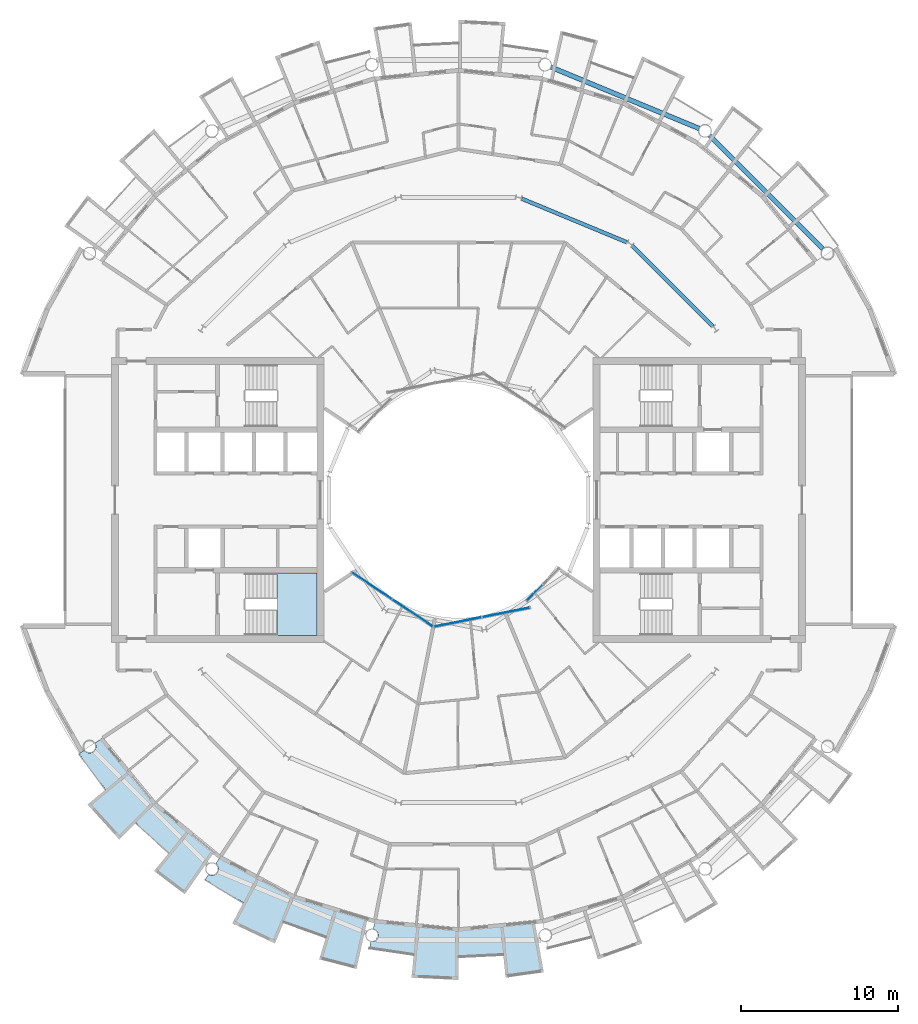
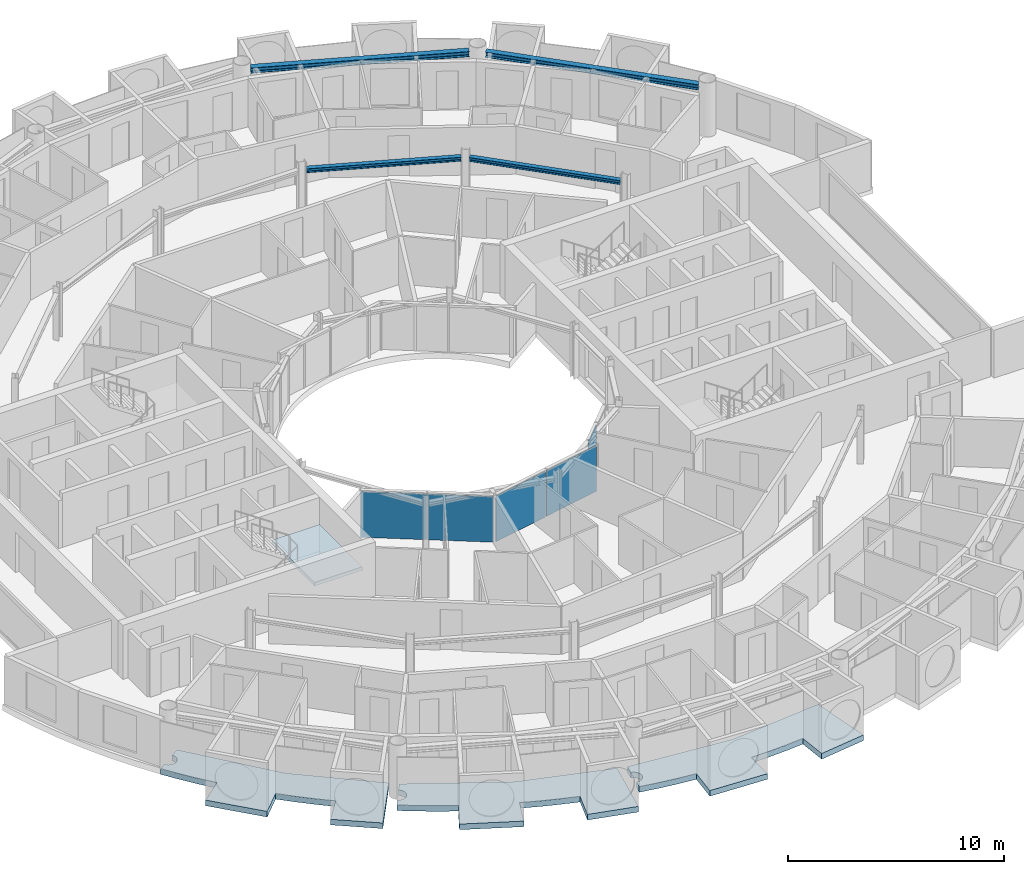
# One storey, part 11 of 29: 5 plates, 4 beams, 4 slabs, 4 elements without a shape of their own.
"""IFC4 building model written with IfcOpenShell, lengths in metres."""

from ifc_helpers import new_model, si_unit, direction, frame, origin, origin_2d, place, context, subcontext, project, spatial, polyline, rectangle, i_section, outline, extrude, material, layer, layer_set, material_profile, profile_set, type_object, element, aggregate, save


model = new_model("IFC4")

# Units and contexts
model_context = context("Model", 3, precision=1e-05, world=origin(), true_north=direction((0.0, 1.0)))
body_context = subcontext(model_context, "Body", "Model", "MODEL_VIEW")
ifc_project = project(units=[si_unit("LENGTHUNIT", "METRE"), si_unit("AREAUNIT", "SQUARE_METRE"), si_unit("VOLUMEUNIT", "CUBIC_METRE"), si_unit("PLANEANGLEUNIT", "RADIAN"), si_unit("MASSUNIT", "GRAM", prefix="KILO")], contexts=[model_context])

# Site, building, storey
site_placement = place(None, origin())
site = spatial("IfcSite", under=ifc_project, at=site_placement, CompositionType="ELEMENT")
building_placement = place(site_placement, origin())
building = spatial("IfcBuilding", under=site, at=building_placement, Name="Maasbend Ring Residences", CompositionType="ELEMENT")
storey_placement = place(building_placement, frame((0.0, 0.0, 212.699951171875)))
storey = spatial("IfcBuildingStorey", under=building, at=storey_placement, Name="L61", CompositionType="ELEMENT", Elevation=212.699951171875)

# Beams
ifc_material_1 = material(Name="Steel S355J2", Category="steel")
ifc_material_profile_1 = material_profile(ifc_material_1, i_section(OverallWidth=0.239990234375, OverallDepth=0.22998046875, WebThickness=0.007568359375, FlangeThickness=0.011962890625, FilletRadius=0.02099609375, at=origin_2d()), Name="HEA 240")
ifc_profile_set_1 = profile_set([ifc_material_profile_1], Name="Steel S355J2")
beam_type_1 = type_object("IfcBeamType", Name="Corridor ring beam HEA 240", PredefinedType="BEAM", material=ifc_profile_set_1)
beam_1_placement = place(storey_placement, frame((16.152587890625, 11.033447265625, 2.5849609375), z_axis=(-0.707106781187, 0.707106781187, 0.0), x_axis=(-0.707106781187, -0.707106781187, 0.0)))
element("IfcBeam", 1, at=beam_1_placement, inside=storey, type_object=beam_type_1, Name="Corridor ring beam", PredefinedType="BEAM", context=body_context, shape_type="SweptSolid", body=[
    extrude(i_section(OverallWidth=0.239990234375, OverallDepth=0.22998046875, WebThickness=0.007568359375, FlangeThickness=0.011962890625, FilletRadius=0.02099609375, at=origin_2d()), origin(), (0.0, 0.0, 1.0), 7.239501953125),
])
beam_2_placement = place(storey_placement, frame((10.70068359375, 16.374755859375, 2.5849609375), z_axis=(-0.923865162022, 0.382718123952, 0.0), x_axis=(-0.382718123952, -0.923865162022, 0.0)))
element("IfcBeam", 2, at=beam_2_placement, inside=storey, type_object=beam_type_1, Name="Corridor ring beam", PredefinedType="BEAM", context=body_context, shape_type="SweptSolid", body=[
    extrude(i_section(OverallWidth=0.239990234375, OverallDepth=0.22998046875, WebThickness=0.007568359375, FlangeThickness=0.011962890625, FilletRadius=0.02099609375, at=origin_2d()), origin(), (0.0, 0.0, 1.0), 7.23974609375),
])
ifc_material_2 = material(Name="Steel S355J2", Category="steel")
ifc_material_profile_2 = material_profile(ifc_material_2, i_section(OverallWidth=0.300048828125, OverallDepth=0.300048828125, WebThickness=0.010986328125, FlangeThickness=0.01904296875, FilletRadius=0.027099609375, at=origin_2d()), Name="HEB 300")
ifc_profile_set_2 = profile_set([ifc_material_profile_2], Name="Steel S355J2")
beam_type_2 = type_object("IfcBeamType", Name="Spandrel ring beam HEB 300", PredefinedType="SPANDREL", material=ifc_profile_set_2)
for number, where, z_axis, x_axis, name in (
    (3, (23.159912109375, 15.95458984375, 2.550048828125), (-0.707106781187, 0.707106781187, 0.0), (-0.707106781187, -0.707106781187, 0.0), "Spandrel ring beam"),
    (4, (15.29150390625, 23.60302734375, 2.550048828125), (-0.923883676188, 0.382673428492, 0.0), (-0.382673428492, -0.923883676188, 0.0), "Spandrel ring beam"),
):
    element("IfcBeam", number, at=place(storey_placement, frame(where, z_axis=z_axis, x_axis=x_axis)), inside=storey, type_object=beam_type_2, Name=name, PredefinedType="SPANDREL", context=body_context, shape_type="SweptSolid", body=[
        extrude(i_section(OverallWidth=0.300048828125, OverallDepth=0.300048828125, WebThickness=0.010986328125, FlangeThickness=0.01904296875, FilletRadius=0.027099609375, at=origin_2d()), origin(), (0.0, 0.0, 1.0), 10.18994140625),
    ])

# Stair, slab
ifc_material_3 = material(Name="Concrete C40/50", Category="concrete")
stair_type = type_object("IfcStairType", Name="CORE STAIR 18 RISERS", PredefinedType="HALF_TURN_STAIR", material=ifc_material_3)
stair_placement = place(storey_placement, origin())
stair = element("IfcStair", 5, at=stair_placement, inside=storey, type_object=stair_type, Name="L61 Exit stair ST-W1", PredefinedType="HALF_TURN_STAIR")
ifc_material_4 = material(Name="Concrete C40/50", Category="concrete")
ifc_layer_1 = layer(ifc_material_4, 0.199951171875)
ifc_layer_set_1 = layer_set([ifc_layer_1], Name="Concrete C40/50")
slab_type_1 = type_object("IfcSlabType", Name="CORE STAIR LANDING 200", PredefinedType="LANDING", material=ifc_layer_set_1)
slab_1_placement = place(storey_placement, frame((0.0, 0.0, 1.324951171875)))
slab_1 = element("IfcSlab", 6, at=slab_1_placement, type_object=slab_type_1, Name="ST-W1 landing 1", PredefinedType="LANDING", context=body_context, shape_type="SweptSolid", body=[
    extrude(outline(polyline([(-11.550048828125, -8.60009765625), (-9.0, -8.60009765625), (-9.0, -4.64990234375), (-11.550048828125, -4.64990234375), (-11.550048828125, -8.60009765625)])), origin(), (0.0, 0.0, 1.0), 0.2001953125),
])
aggregate(stair, [slab_1])

# Curtain wall, plates
ifc_material_5 = material(Name="Aluminium and clear glass", Category="aluminium")
ifc_layer_2 = layer(ifc_material_5, 0.179931640625)
ifc_layer_set_2 = layer_set([ifc_layer_2], Name="CW-W")
curtain_wall_type = type_object("IfcCurtainWallType", Name="CW-W", PredefinedType="NOTDEFINED", material=ifc_layer_set_2)
curtain_wall_1_placement = place(storey_placement, origin())
curtain_wall_1 = element("IfcCurtainWall", 7, at=curtain_wall_1_placement, inside=storey, type_object=curtain_wall_type, Name="Well curtain wall S1", PredefinedType="NOTDEFINED")
ifc_material_6 = material(Name="Glass clear laminated", Category="glass")
ifc_layer_3 = layer(ifc_material_6, 0.031982421875)
ifc_layer_set_3 = layer_set([ifc_layer_3], Name="CWP-W")
plate_type = type_object("IfcPlateType", Name="CWP-W", PredefinedType="CURTAIN_PANEL", material=ifc_layer_set_3)
plate_1_placement = place(storey_placement, frame((-5.51123046875, -5.44580078125, 0.0), z_axis=(0.0, 0.0, 1.0), x_axis=(0.831469612303, -0.55557023302, 0.0)))
plate_1 = element("IfcPlate", 8, at=plate_1_placement, type_object=plate_type, Name="Glass panel well face", PredefinedType="CURTAIN_PANEL", context=body_context, shape_type="SweptSolid", body=[
    extrude(rectangle(XDim=3.053955078125, YDim=0.031982421875, at=origin_2d()), origin(), (0.0, 0.0, 1.0), 2.580078125),
])
plate_2_placement = place(storey_placement, frame((-2.922119140625, -7.17578125, 0.0), z_axis=(0.0, 0.0, 1.0), x_axis=(0.831469612303, -0.55557023302, 0.0)))
plate_2 = element("IfcPlate", 9, at=plate_2_placement, type_object=plate_type, Name="Glass panel well face", PredefinedType="CURTAIN_PANEL", context=body_context, shape_type="SweptSolid", body=[
    extrude(rectangle(XDim=3.053955078125, YDim=0.031982421875, at=origin_2d()), origin(), (0.0, 0.0, 1.0), 2.580078125),
])
aggregate(curtain_wall_1, [plate_1, plate_2])

curtain_wall_2_placement = place(storey_placement, origin())
curtain_wall_2 = element("IfcCurtainWall", 10, at=curtain_wall_2_placement, inside=storey, type_object=curtain_wall_type, Name="Well curtain wall S2", PredefinedType="NOTDEFINED")
plate_3_placement = place(storey_placement, frame((-0.04638671875, -7.747802734375, 0.0), z_axis=(0.0, 0.0, 1.0), x_axis=(0.980785280403, 0.195090322016, 0.0)))
plate_3 = element("IfcPlate", 11, at=plate_3_placement, type_object=plate_type, Name="Glass panel well face", PredefinedType="CURTAIN_PANEL", context=body_context, shape_type="SweptSolid", body=[
    extrude(rectangle(XDim=3.053955078125, YDim=0.031982421875, at=origin_2d()), origin(), (0.0, 0.0, 1.0), 2.580078125),
])
plate_4_placement = place(storey_placement, frame((3.0078125, -7.140380859375, 0.0), z_axis=(0.0, 0.0, 1.0), x_axis=(0.980785280403, 0.195090322016, 0.0)))
plate_4 = element("IfcPlate", 12, at=plate_4_placement, type_object=plate_type, Name="Glass panel well face", PredefinedType="CURTAIN_PANEL", context=body_context, shape_type="SweptSolid", body=[
    extrude(rectangle(XDim=3.053955078125, YDim=0.031982421875, at=origin_2d()), origin(), (0.0, 0.0, 1.0), 2.580078125),
])
aggregate(curtain_wall_2, [plate_3, plate_4])

# Curtain wall, plate
curtain_wall_3_placement = place(storey_placement, origin())
curtain_wall_3 = element("IfcCurtainWall", 13, at=curtain_wall_3_placement, inside=storey, type_object=curtain_wall_type, Name="Well curtain wall S3", PredefinedType="NOTDEFINED")
plate_5_placement = place(storey_placement, frame((4.84375, -5.89013671875, 0.0), z_axis=(0.0, 0.0, 1.0), x_axis=(0.707106781187, 0.707106781187, 0.0)))
plate_5 = element("IfcPlate", 14, at=plate_5_placement, type_object=plate_type, Name="Glass panel well face", PredefinedType="CURTAIN_PANEL", context=body_context, shape_type="SweptSolid", body=[
    extrude(rectangle(XDim=1.419677734375, YDim=0.031982421875, at=origin_2d()), origin(), (0.0, 0.0, 1.0), 2.580078125),
])
aggregate(curtain_wall_3, [plate_5])

# Slabs
ifc_material_7 = material(Name="Concrete C40/50", Category="concrete")
ifc_layer_4 = layer(ifc_material_7, 0.199951171875)
ifc_layer_set_4 = layer_set([ifc_layer_4], Name="Concrete C40/50")
slab_type_2 = type_object("IfcSlabType", Name="SL-LOGGIA", PredefinedType="FLOOR", material=ifc_layer_set_4)
slab_2_placement = place(storey_placement, frame((0.0, 0.0, -0.349853515625)))
element("IfcSlab", 15, at=slab_2_placement, inside=storey, type_object=slab_type_2, Name="Loggia floor 1", PredefinedType="FLOOR", context=body_context, shape_type="SweptSolid", body=[
    extrude(outline(polyline([(-15.866943359375, -23.801025390625), (-15.85888671875, -23.805908203125), (-15.85009765625, -23.81005859375), (-15.841064453125, -23.81494140625), (-15.83203125, -23.819091796875), (-15.822998046875, -23.822998046875), (-15.81298828125, -23.826904296875), (-15.803955078125, -23.830078125), (-15.794921875, -23.8330078125), (-15.784912109375, -23.8359375), (-15.77587890625, -23.839111328125), (-15.76611328125, -23.842041015625), (-15.756103515625, -23.843994140625), (-15.74609375, -23.845947265625), (-15.737060546875, -23.847900390625), (-15.72705078125, -23.85009765625), (-15.717041015625, -23.85107421875), (-15.70703125, -23.85205078125), (-15.697021484375, -23.85302734375), (-15.68701171875, -23.85302734375), (-15.677001953125, -23.85400390625), (-15.6669921875, -23.85400390625), (-15.656982421875, -23.85400390625), (-15.64697265625, -23.85302734375), (-15.636962890625, -23.85302734375), (-15.626953125, -23.85205078125), (-15.616943359375, -23.85107421875), (-15.60693359375, -23.85009765625), (-15.597900390625, -23.847900390625), (-15.587890625, -23.845947265625), (-15.577880859375, -23.843994140625), (-15.568115234375, -23.842041015625), (-15.55908203125, -23.839111328125), (-15.549072265625, -23.8359375), (-15.5400390625, -23.8330078125), (-15.530029296875, -23.830078125), (-15.52099609375, -23.826904296875), (-15.511962890625, -23.822998046875), (-15.501953125, -23.819091796875), (-15.492919921875, -23.81494140625), (-15.48388671875, -23.81005859375), (-15.47509765625, -23.805908203125), (-15.467041015625, -23.801025390625), (-15.4580078125, -23.7958984375), (-15.449951171875, -23.791015625), (-15.44091796875, -23.784912109375), (-15.43310546875, -23.780029296875), (-15.425048828125, -23.77392578125), (-15.4169921875, -23.76806640625), (-15.408935546875, -23.761962890625), (-15.402099609375, -23.7548828125), (-15.39404296875, -23.7490234375), (-15.386962890625, -23.741943359375), (-15.3798828125, -23.735107421875), (-15.373046875, -23.72802734375), (-15.365966796875, -23.719970703125), (-15.35888671875, -23.712890625), (-15.35302734375, -23.705078125), (-15.346923828125, -23.697021484375), (-15.341064453125, -23.68994140625), (-15.3349609375, -23.680908203125), (-15.3291015625, -23.673095703125), (-15.323974609375, -23.6650390625), (-15.318115234375, -23.656005859375), (-15.31298828125, -23.64794921875), (-15.30908203125, -23.638916015625), (-15.303955078125, -23.6298828125), (-15.300048828125, -23.62109375), (-15.294921875, -23.612060546875), (-15.2919921875, -23.60302734375), (-15.2880859375, -23.593994140625), (-15.283935546875, -23.583984375), (-15.281005859375, -23.574951171875), (-15.278076171875, -23.56494140625), (-15.27490234375, -23.555908203125), (-15.27294921875, -23.5458984375), (-15.27001953125, -23.535888671875), (-15.26806640625, -23.527099609375), (-15.26708984375, -23.51708984375), (-15.264892578125, -23.507080078125), (-15.263916015625, -23.4970703125), (-15.262939453125, -23.487060546875), (-15.261962890625, -23.47705078125), (-15.260986328125, -23.467041015625), (-15.260986328125, -23.45703125), (-15.260986328125, -23.447021484375), (-15.260986328125, -23.43701171875), (-15.260986328125, -23.427001953125), (-15.261962890625, -23.4169921875), (-15.262939453125, -23.407958984375), (-15.263916015625, -23.39794921875), (-15.264892578125, -23.387939453125), (-15.26708984375, -23.3779296875), (-15.26806640625, -23.367919921875), (-15.27001953125, -23.35791015625), (-15.27294921875, -23.34912109375), (-15.27490234375, -23.339111328125), (-15.278076171875, -23.3291015625), (-15.281005859375, -23.320068359375), (-15.283935546875, -23.31005859375), (-15.2880859375, -23.301025390625), (-15.2919921875, -23.2919921875), (-15.294921875, -23.282958984375), (-15.300048828125, -23.27392578125), (-15.303955078125, -23.264892578125), (-15.30908203125, -23.256103515625), (-15.31298828125, -23.2470703125), (-15.318115234375, -23.238037109375), (-15.323974609375, -23.22998046875), (-15.3291015625, -23.221923828125), (-15.3349609375, -23.212890625), (-15.341064453125, -23.205078125), (-15.346923828125, -23.197021484375), (-15.35302734375, -23.18994140625), (-15.35888671875, -23.181884765625), (-15.365966796875, -23.174072265625), (-15.373046875, -23.1669921875), (-15.3798828125, -23.159912109375), (-15.386962890625, -23.153076171875), (-15.39404296875, -23.14599609375), (-15.402099609375, -23.139892578125), (-15.408935546875, -23.133056640625), (-15.4169921875, -23.126953125), (-15.425048828125, -23.12109375), (-15.43310546875, -23.114990234375), (-15.44091796875, -23.10888671875), (-15.1669921875, -22.698974609375), (-15.1669921875, -22.698974609375), (-15.1669921875, -22.698974609375), (-12.806884765625, -23.9609375), (-10.447021484375, -25.221923828125), (-10.447021484375, -25.221923828125), (-10.447021484375, -25.221923828125), (-7.886962890625, -25.9990234375), (-5.797119140625, -26.633056640625), (-5.797119140625, -26.633056640625), (-5.797119140625, -26.633056640625), (-6.487060546875, -29.802001953125), (-6.487060546875, -29.802001953125), (-6.487060546875, -29.802001953125), (-8.85400390625, -29.18701171875), (-8.85400390625, -29.18701171875), (-8.85400390625, -29.18701171875), (-8.41796875, -27.751953125), (-8.41796875, -27.751953125), (-8.41796875, -27.751953125), (-8.41796875, -27.751953125), (-8.41796875, -27.751953125), (-8.41796875, -27.751953125), (-8.41796875, -27.7509765625), (-8.41796875, -27.7509765625), (-8.41796875, -27.7509765625), (-8.41796875, -27.7509765625), (-8.41796875, -27.7509765625), (-8.4189453125, -27.7509765625), (-8.4189453125, -27.7509765625), (-8.4189453125, -27.7509765625), (-8.4189453125, -27.7509765625), (-8.4189453125, -27.7509765625), (-8.4189453125, -27.7509765625), (-9.322021484375, -27.4609375), (-9.322021484375, -27.4609375), (-10.215087890625, -27.14111328125), (-10.215087890625, -27.14111328125), (-11.096923828125, -26.79296875), (-11.096923828125, -26.79296875), (-11.096923828125, -26.79296875), (-11.097900390625, -26.79296875), (-11.097900390625, -26.79296875), (-11.097900390625, -26.79296875), (-11.097900390625, -26.79296875), (-11.097900390625, -26.79296875), (-11.097900390625, -26.79296875), (-11.097900390625, -26.79296875), (-11.097900390625, -26.79296875), (-11.097900390625, -26.79296875), (-11.097900390625, -26.79296875), (-11.097900390625, -26.79296875), (-11.097900390625, -26.79296875), (-11.097900390625, -26.79296875), (-11.097900390625, -26.79296875), (-11.672119140625, -28.177978515625), (-11.672119140625, -28.177978515625), (-11.672119140625, -28.177978515625), (-14.3779296875, -26.89892578125), (-14.3779296875, -26.89892578125), (-14.3779296875, -26.89892578125), (-13.6708984375, -25.575927734375), (-13.6708984375, -25.575927734375), (-13.6708984375, -25.575927734375), (-13.6708984375, -25.575927734375), (-13.6708984375, -25.575927734375), (-13.6708984375, -25.575927734375), (-13.6708984375, -25.575927734375), (-13.6708984375, -25.575927734375), (-13.6708984375, -25.575927734375), (-13.6708984375, -25.575927734375), (-13.6708984375, -25.575927734375), (-13.6708984375, -25.575927734375), (-13.6708984375, -25.575927734375), (-13.6708984375, -25.575927734375), (-13.6708984375, -25.575927734375), (-13.6708984375, -25.575927734375), (-13.6708984375, -25.574951171875), (-14.5, -25.114990234375), (-14.5, -25.114990234375), (-15.31396484375, -24.626953125), (-15.31396484375, -24.626953125), (-16.112060546875, -24.113037109375), (-16.112060546875, -24.113037109375), (-16.112060546875, -24.113037109375), (-15.89306640625, -23.784912109375), (-15.885009765625, -23.791015625), (-15.8759765625, -23.7958984375), (-15.866943359375, -23.801025390625)])), origin(), (0.0, 0.0, 1.0), 0.31982421875),
])
slab_3_placement = place(storey_placement, frame((0.0, 0.0, -0.349853515625)))
element("IfcSlab", 16, at=slab_3_placement, inside=storey, type_object=slab_type_2, Name="Loggia floor 3", PredefinedType="FLOOR", context=body_context, shape_type="SweptSolid", body=[
    extrude(outline(polyline([(-2.6630859375, -27.0380859375), (0.0, -27.300048828125), (0.0, -27.300048828125), (0.0, -27.300048828125), (2.6630859375, -27.0380859375), (4.8359375, -26.823974609375), (4.8359375, -26.823974609375), (4.8359375, -26.823974609375), (5.412109375, -30.01611328125), (5.412109375, -30.01611328125), (5.412109375, -30.01611328125), (2.989990234375, -30.35302734375), (2.989990234375, -30.35302734375), (2.989990234375, -30.35302734375), (2.843017578125, -28.861083984375), (2.843017578125, -28.861083984375), (2.843017578125, -28.861083984375), (2.843017578125, -28.861083984375), (2.842041015625, -28.861083984375), (2.842041015625, -28.861083984375), (2.842041015625, -28.861083984375), (2.842041015625, -28.861083984375), (2.842041015625, -28.861083984375), (2.842041015625, -28.860107421875), (2.842041015625, -28.860107421875), (2.842041015625, -28.860107421875), (2.842041015625, -28.860107421875), (2.842041015625, -28.860107421875), (2.842041015625, -28.860107421875), (2.842041015625, -28.860107421875), (2.842041015625, -28.860107421875), (1.89697265625, -28.93798828125), (1.89697265625, -28.93798828125), (0.948974609375, -28.98388671875), (0.948974609375, -28.98388671875), (0.0, -29.0), (0.0, -29.0), (0.0, -29.0), (0.0, -29.0), (0.0, -29.0), (0.0, -29.0), (0.0, -29.0), (0.0, -29.0), (0.0, -29.0), (0.0, -29.0), (0.0, -29.0), (0.0, -29.0), (0.0, -29.0), (0.0, -29.0), (0.0, -29.0), (0.0, -29.0), (0.0, -29.0), (0.0, -30.5), (0.0, -30.5), (0.0, -30.5), (-2.989990234375, -30.35302734375), (-2.989990234375, -30.35302734375), (-2.989990234375, -30.35302734375), (-2.843017578125, -28.861083984375), (-2.843017578125, -28.861083984375), (-2.843017578125, -28.861083984375), (-2.843017578125, -28.861083984375), (-2.843017578125, -28.861083984375), (-2.843017578125, -28.861083984375), (-2.843017578125, -28.861083984375), (-2.843017578125, -28.861083984375), (-2.843017578125, -28.860107421875), (-2.843017578125, -28.860107421875), (-2.843017578125, -28.860107421875), (-2.843017578125, -28.860107421875), (-2.843017578125, -28.860107421875), (-2.843017578125, -28.860107421875), (-2.843017578125, -28.860107421875), (-2.843017578125, -28.860107421875), (-2.843017578125, -28.860107421875), (-3.784912109375, -28.751953125), (-3.784912109375, -28.751953125), (-4.72412109375, -28.613037109375), (-4.72412109375, -28.613037109375), (-5.657958984375, -28.443115234375), (-5.657958984375, -28.443115234375), (-5.657958984375, -28.443115234375), (-5.5810546875, -28.056884765625), (-5.5810546875, -28.056884765625), (-5.571044921875, -28.05908203125), (-5.56103515625, -28.06005859375), (-5.551025390625, -28.06201171875), (-5.541015625, -28.06298828125), (-5.531005859375, -28.06298828125), (-5.52099609375, -28.06396484375), (-5.510986328125, -28.06396484375), (-5.501953125, -28.06494140625), (-5.491943359375, -28.06396484375), (-5.48193359375, -28.06396484375), (-5.471923828125, -28.06298828125), (-5.4619140625, -28.06298828125), (-5.451904296875, -28.06201171875), (-5.44189453125, -28.06005859375), (-5.431884765625, -28.05908203125), (-5.422119140625, -28.056884765625), (-5.412109375, -28.054931640625), (-5.403076171875, -28.052001953125), (-5.39306640625, -28.050048828125), (-5.383056640625, -28.047119140625), (-5.3740234375, -28.0439453125), (-5.364990234375, -28.041015625), (-5.35498046875, -28.037109375), (-5.345947265625, -28.033935546875), (-5.3369140625, -28.030029296875), (-5.327880859375, -28.02587890625), (-5.319091796875, -28.02099609375), (-5.31005859375, -28.01708984375), (-5.301025390625, -28.011962890625), (-5.29296875, -28.007080078125), (-5.283935546875, -28.001953125), (-5.27587890625, -27.99609375), (-5.26708984375, -27.989990234375), (-5.259033203125, -27.985107421875), (-5.2509765625, -27.97900390625), (-5.243896484375, -27.971923828125), (-5.236083984375, -27.966064453125), (-5.22900390625, -27.958984375), (-5.220947265625, -27.952880859375), (-5.214111328125, -27.946044921875), (-5.20703125, -27.93798828125), (-5.199951171875, -27.930908203125), (-5.194091796875, -27.924072265625), (-5.18701171875, -27.916015625), (-5.180908203125, -27.907958984375), (-5.175048828125, -27.89990234375), (-5.1689453125, -27.89208984375), (-5.1640625, -27.884033203125), (-5.157958984375, -27.8759765625), (-5.153076171875, -27.866943359375), (-5.14794921875, -27.85791015625), (-5.14306640625, -27.85009765625), (-5.137939453125, -27.841064453125), (-5.134033203125, -27.83203125), (-5.1298828125, -27.822998046875), (-5.1259765625, -27.81396484375), (-5.1220703125, -27.803955078125), (-5.118896484375, -27.794921875), (-5.115966796875, -27.785888671875), (-5.113037109375, -27.77587890625), (-5.110107421875, -27.76708984375), (-5.10693359375, -27.757080078125), (-5.10498046875, -27.7470703125), (-5.10302734375, -27.737060546875), (-5.10107421875, -27.72802734375), (-5.09912109375, -27.718017578125), (-5.097900390625, -27.7080078125), (-5.096923828125, -27.697998046875), (-5.095947265625, -27.68798828125), (-5.094970703125, -27.677978515625), (-5.094970703125, -27.66796875), (-5.094970703125, -27.657958984375), (-5.094970703125, -27.64794921875), (-5.094970703125, -27.637939453125), (-5.095947265625, -27.6279296875), (-5.096923828125, -27.617919921875), (-5.097900390625, -27.60791015625), (-5.09912109375, -27.597900390625), (-5.10107421875, -27.589111328125), (-5.10302734375, -27.5791015625), (-5.10498046875, -27.569091796875), (-5.10693359375, -27.55908203125), (-5.110107421875, -27.550048828125), (-5.113037109375, -27.5400390625), (-5.115966796875, -27.531005859375), (-5.118896484375, -27.52099609375), (-5.1220703125, -27.511962890625), (-5.1259765625, -27.5029296875), (-5.1298828125, -27.492919921875), (-5.134033203125, -27.48388671875), (-5.137939453125, -27.47509765625), (-5.14306640625, -27.466064453125), (-5.14794921875, -27.4580078125), (-5.153076171875, -27.448974609375), (-5.157958984375, -27.44091796875), (-5.1640625, -27.431884765625), (-5.1689453125, -27.424072265625), (-5.175048828125, -27.416015625), (-5.180908203125, -27.407958984375), (-5.18701171875, -27.39990234375), (-5.194091796875, -27.39306640625), (-5.199951171875, -27.385009765625), (-5.20703125, -27.3779296875), (-5.214111328125, -27.37109375), (-5.220947265625, -27.364013671875), (-5.22900390625, -27.35693359375), (-5.236083984375, -27.35009765625), (-5.243896484375, -27.343994140625), (-5.2509765625, -27.337890625), (-5.259033203125, -27.33203125), (-5.26708984375, -27.325927734375), (-5.27587890625, -27.320068359375), (-5.283935546875, -27.31494140625), (-5.29296875, -27.30908203125), (-5.301025390625, -27.303955078125), (-5.31005859375, -27.300048828125), (-5.319091796875, -27.294921875), (-5.327880859375, -27.291015625), (-5.3369140625, -27.285888671875), (-5.345947265625, -27.282958984375), (-5.35498046875, -27.279052734375), (-5.364990234375, -27.27490234375), (-5.3740234375, -27.27197265625), (-5.383056640625, -27.26904296875), (-5.39306640625, -27.26611328125), (-5.403076171875, -27.263916015625), (-5.412109375, -27.260986328125), (-5.422119140625, -27.259033203125), (-5.422119140625, -27.259033203125), (-5.325927734375, -26.77490234375), (-5.325927734375, -26.77490234375), (-5.325927734375, -26.77490234375), (-2.6630859375, -27.0380859375)])), origin(), (0.0, 0.0, 1.0), 0.31982421875),
])
slab_4_placement = place(storey_placement, frame((0.0, 0.0, -0.349853515625)))
element("IfcSlab", 17, at=slab_4_placement, inside=storey, type_object=slab_type_2, Name="Loggia floor 4", PredefinedType="FLOOR", context=body_context, shape_type="SweptSolid", body=[
    extrude(outline(polyline([(-23.77392578125, -15.908935546875), (-23.76806640625, -15.9169921875), (-23.761962890625, -15.925048828125), (-23.7548828125, -15.93310546875), (-23.7490234375, -15.93994140625), (-23.741943359375, -15.947021484375), (-23.735107421875, -15.955078125), (-23.72802734375, -15.9619140625), (-23.719970703125, -15.968017578125), (-23.712890625, -15.97509765625), (-23.705078125, -15.98095703125), (-23.697021484375, -15.988037109375), (-23.68994140625, -15.993896484375), (-23.680908203125, -15.9990234375), (-23.673095703125, -16.0048828125), (-23.6650390625, -16.010986328125), (-23.656005859375, -16.01611328125), (-23.64794921875, -16.02099609375), (-23.638916015625, -16.02587890625), (-23.6298828125, -16.030029296875), (-23.62109375, -16.034912109375), (-23.612060546875, -16.0390625), (-23.60302734375, -16.04296875), (-23.593994140625, -16.0458984375), (-23.583984375, -16.050048828125), (-23.574951171875, -16.052978515625), (-23.56494140625, -16.055908203125), (-23.555908203125, -16.05908203125), (-23.5458984375, -16.06103515625), (-23.535888671875, -16.06396484375), (-23.527099609375, -16.06591796875), (-23.51708984375, -16.068115234375), (-23.507080078125, -16.069091796875), (-23.4970703125, -16.071044921875), (-23.487060546875, -16.072021484375), (-23.47705078125, -16.072021484375), (-23.467041015625, -16.072998046875), (-23.45703125, -16.072998046875), (-23.447021484375, -16.073974609375), (-23.43701171875, -16.072998046875), (-23.427001953125, -16.072998046875), (-23.4169921875, -16.072021484375), (-23.407958984375, -16.072021484375), (-23.39794921875, -16.071044921875), (-23.387939453125, -16.069091796875), (-23.3779296875, -16.068115234375), (-23.367919921875, -16.06591796875), (-23.35791015625, -16.06396484375), (-23.34912109375, -16.06103515625), (-23.339111328125, -16.05908203125), (-23.3291015625, -16.055908203125), (-23.320068359375, -16.052978515625), (-23.31005859375, -16.050048828125), (-23.301025390625, -16.0458984375), (-23.2919921875, -16.04296875), (-23.282958984375, -16.0390625), (-23.27392578125, -16.034912109375), (-23.264892578125, -16.030029296875), (-23.256103515625, -16.02587890625), (-23.2470703125, -16.02099609375), (-23.238037109375, -16.01611328125), (-23.22998046875, -16.010986328125), (-23.221923828125, -16.0048828125), (-23.212890625, -15.9990234375), (-23.205078125, -15.993896484375), (-23.197021484375, -15.988037109375), (-23.18994140625, -15.98095703125), (-23.181884765625, -15.97509765625), (-23.174072265625, -15.968017578125), (-23.1669921875, -15.9619140625), (-23.159912109375, -15.955078125), (-23.153076171875, -15.947021484375), (-23.14599609375, -15.93994140625), (-23.139892578125, -15.93310546875), (-23.133056640625, -15.925048828125), (-23.126953125, -15.9169921875), (-23.12109375, -15.908935546875), (-23.114990234375, -15.90087890625), (-23.10888671875, -15.89306640625), (-23.10400390625, -15.885009765625), (-23.09912109375, -15.8759765625), (-23.093994140625, -15.866943359375), (-23.089111328125, -15.85888671875), (-23.083984375, -15.85009765625), (-23.080078125, -15.841064453125), (-23.075927734375, -15.83203125), (-23.072021484375, -15.822998046875), (-23.068115234375, -15.81298828125), (-23.06494140625, -15.803955078125), (-23.06103515625, -15.794921875), (-23.05810546875, -15.784912109375), (-23.055908203125, -15.77587890625), (-23.052978515625, -15.76611328125), (-23.051025390625, -15.756103515625), (-23.049072265625, -15.74609375), (-23.047119140625, -15.737060546875), (-23.044921875, -15.72705078125), (-23.0439453125, -15.717041015625), (-23.04296875, -15.70703125), (-23.0419921875, -15.697021484375), (-23.041015625, -15.68701171875), (-23.041015625, -15.677001953125), (-23.041015625, -15.6669921875), (-23.041015625, -15.656982421875), (-23.041015625, -15.64697265625), (-23.0419921875, -15.636962890625), (-23.04296875, -15.626953125), (-23.0439453125, -15.616943359375), (-23.044921875, -15.60693359375), (-23.047119140625, -15.597900390625), (-23.049072265625, -15.587890625), (-23.051025390625, -15.577880859375), (-23.052978515625, -15.568115234375), (-23.055908203125, -15.55908203125), (-23.05810546875, -15.549072265625), (-23.06103515625, -15.5400390625), (-23.06494140625, -15.530029296875), (-23.068115234375, -15.52099609375), (-23.072021484375, -15.511962890625), (-23.075927734375, -15.501953125), (-23.080078125, -15.492919921875), (-23.083984375, -15.48388671875), (-23.089111328125, -15.47509765625), (-23.093994140625, -15.467041015625), (-23.09912109375, -15.4580078125), (-23.10400390625, -15.449951171875), (-23.10888671875, -15.44091796875), (-23.10888671875, -15.44091796875), (-22.698974609375, -15.1669921875), (-22.698974609375, -15.1669921875), (-22.698974609375, -15.1669921875), (-21.001953125, -17.236083984375), (-19.303955078125, -19.303955078125), (-19.303955078125, -19.303955078125), (-19.303955078125, -19.303955078125), (-17.236083984375, -21.001953125), (-15.547119140625, -22.386962890625), (-15.547119140625, -22.386962890625), (-15.547119140625, -22.386962890625), (-17.39794921875, -25.051025390625), (-17.39794921875, -25.051025390625), (-17.39794921875, -25.051025390625), (-19.34912109375, -23.576904296875), (-19.34912109375, -23.576904296875), (-19.34912109375, -23.576904296875), (-18.39794921875, -22.41796875), (-18.39794921875, -22.41796875), (-18.39794921875, -22.41796875), (-18.39794921875, -22.41796875), (-18.39794921875, -22.41796875), (-18.39794921875, -22.4169921875), (-18.39794921875, -22.4169921875), (-18.39794921875, -22.4169921875), (-18.39794921875, -22.4169921875), (-18.39794921875, -22.4169921875), (-18.39794921875, -22.4169921875), (-18.39794921875, -22.4169921875), (-18.39794921875, -22.4169921875), (-18.39794921875, -22.4169921875), (-18.39794921875, -22.4169921875), (-18.39794921875, -22.4169921875), (-18.39794921875, -22.4169921875), (-19.12109375, -21.802978515625), (-19.12109375, -21.802978515625), (-19.823974609375, -21.166015625), (-19.823974609375, -21.166015625), (-20.506103515625, -20.506103515625), (-20.506103515625, -20.506103515625), (-20.506103515625, -20.506103515625), (-20.506103515625, -20.506103515625), (-20.506103515625, -20.506103515625), (-20.506103515625, -20.506103515625), (-20.506103515625, -20.506103515625), (-20.506103515625, -20.506103515625), (-20.506103515625, -20.506103515625), (-20.506103515625, -20.506103515625), (-20.506103515625, -20.506103515625), (-20.506103515625, -20.506103515625), (-20.506103515625, -20.506103515625), (-20.506103515625, -20.506103515625), (-20.506103515625, -20.506103515625), (-20.506103515625, -20.506103515625), (-20.506103515625, -20.506103515625), (-21.56689453125, -21.56689453125), (-21.56689453125, -21.56689453125), (-21.56689453125, -21.56689453125), (-23.576904296875, -19.34912109375), (-23.576904296875, -19.34912109375), (-23.576904296875, -19.34912109375), (-22.41796875, -18.39794921875), (-22.41796875, -18.39794921875), (-22.41796875, -18.39794921875), (-22.41796875, -18.39794921875), (-22.41796875, -18.39794921875), (-22.41796875, -18.39794921875), (-22.41796875, -18.39697265625), (-22.41796875, -18.39697265625), (-22.41796875, -18.39697265625), (-22.41796875, -18.39697265625), (-22.41796875, -18.39697265625), (-22.41796875, -18.39697265625), (-22.41796875, -18.39697265625), (-22.41796875, -18.39697265625), (-22.41796875, -18.39697265625), (-22.41796875, -18.39697265625), (-22.41796875, -18.39697265625), (-23.007080078125, -17.654052734375), (-23.007080078125, -17.654052734375), (-23.572998046875, -16.89208984375), (-23.572998046875, -16.89208984375), (-24.113037109375, -16.112060546875), (-24.113037109375, -16.112060546875), (-24.113037109375, -16.112060546875), (-23.784912109375, -15.89306640625), (-23.784912109375, -15.89306640625), (-23.780029296875, -15.90087890625), (-23.77392578125, -15.908935546875)])), origin(), (0.0, 0.0, 1.0), 0.31982421875),
])

save(model, "model.ifc")
